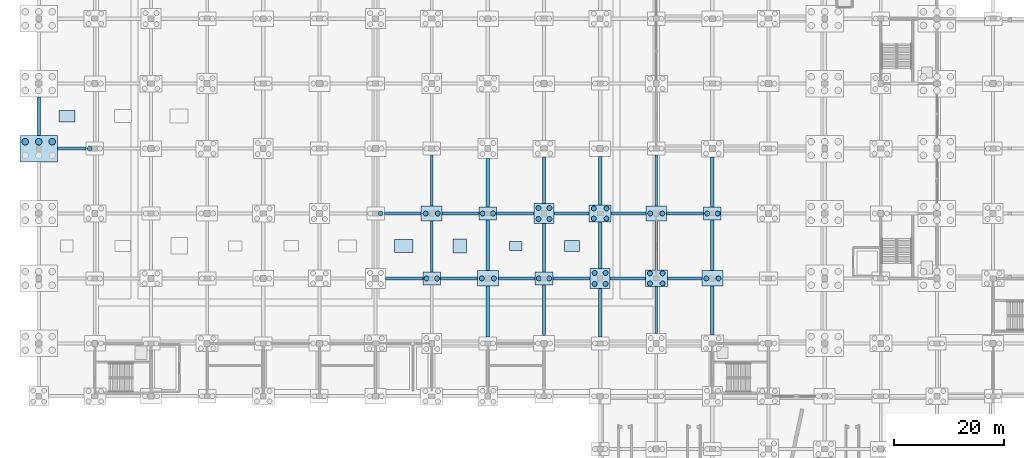
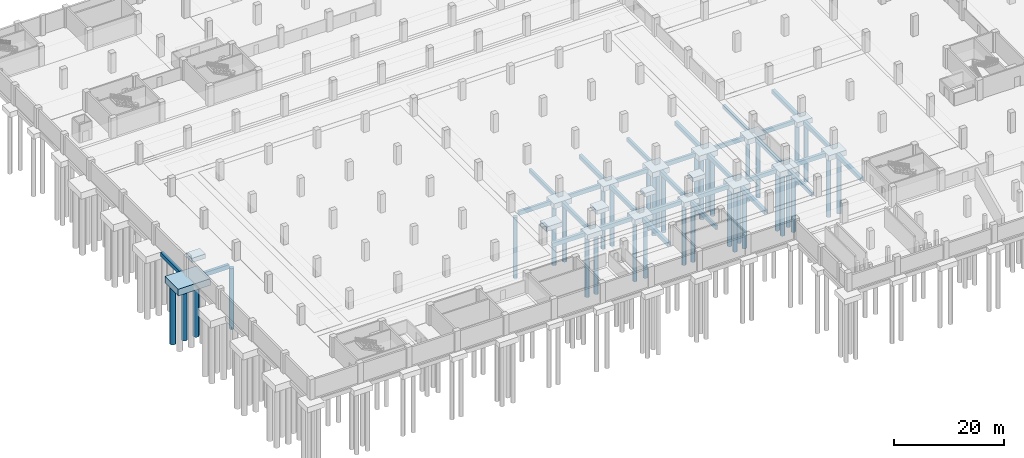
# One storey, part 4 of 52: 49 footings, 37 piles.
"""IFC4 building model written with IfcOpenShell, lengths in metres."""

import ifcopenshell
import ifcopenshell.guid

model = None  # the IFC model being written
_history = None  # IfcOwnerHistory: only IFC2X3 demands one
_inside = {}  # id of a spatial element -> (the spatial element, [elements in it])
_under = {}  # id of a project, library or spatial element -> (it, [spatial elements below it])
_declared = {}  # id of a project -> (the project, [libraries it declares])
_typed = {}  # id of a type object -> (the type object, [elements of that type])
_made_of = {}  # id of a material, layer set ... -> (it, [elements and type objects made of it])


def new_model(schema):
    """Start an empty IFC model of exactly this schema.

    Asked for "IFC4X3", IfcOpenShell would pick the latest addendum, in which some entities
    have other attributes; the version numbers below select the first issue.
    IFC2X3 requires an IfcOwnerHistory on every rooted entity: one is made here for all.
    """
    global model, _history
    if schema == "IFC4X3":
        model = ifcopenshell.file(schema_version=(4, 3, 0, 0))
    else:
        model = ifcopenshell.file(schema=schema)
    _inside.clear()
    _under.clear()
    _declared.clear()
    _typed.clear()
    _made_of.clear()
    _history = None
    if model.schema == "IFC2X3":
        org = make("IfcOrganization", Name="unknown")
        user = make(
            "IfcPersonAndOrganization",
            ThePerson=make("IfcPerson", FamilyName="unknown"),
            TheOrganization=org,
        )
        app = make(
            "IfcApplication",
            ApplicationDeveloper=org,
            Version="unknown",
            ApplicationFullName="unknown",
            ApplicationIdentifier="unknown",
        )
        _history = make(
            "IfcOwnerHistory",
            OwningUser=user,
            OwningApplication=app,
            ChangeAction="ADDED",
            CreationDate=0,
        )
    return model


def make(cls, **values):
    """One entity of the class cls with the attributes given. An attribute that is None is left unset."""
    return model.create_entity(
        cls, **{name: value for name, value in values.items() if value is not None}
    )


def rooted(cls, **values):
    """An entity with a GlobalId (a new one), such as an element, a storey or a relation."""
    return make(cls, GlobalId=ifcopenshell.guid.new(), OwnerHistory=_history, **values)


def si_unit(unit_type, name, prefix=None):
    """IfcSIUnit, for example si_unit("LENGTHUNIT", "METRE", prefix="MILLI")."""
    return make("IfcSIUnit", UnitType=unit_type, Prefix=prefix, Name=name)


def assignment(units):
    """IfcUnitAssignment: the units of a project."""
    return None if units is None else make("IfcUnitAssignment", Units=units)


def point(xyz):
    """IfcCartesianPoint."""
    return None if xyz is None else make("IfcCartesianPoint", Coordinates=xyz)


def direction(xyz):
    """IfcDirection."""
    return None if xyz is None else make("IfcDirection", DirectionRatios=xyz)


def frame(location, z_axis=None, x_axis=None):
    """IfcAxis2Placement3D, a coordinate frame: its origin and axes. An axis left out is left unset."""
    return make(
        "IfcAxis2Placement3D",
        Location=point(location),
        Axis=direction(z_axis),
        RefDirection=direction(x_axis),
    )


def frame_2d(location, x_axis=None):
    """IfcAxis2Placement2D, a coordinate frame in the plane: its origin and x axis."""
    return make(
        "IfcAxis2Placement2D", Location=point(location), RefDirection=direction(x_axis)
    )


def origin():
    """The frame at (0, 0, 0) with its axes left unset."""
    return frame((0.0, 0.0, 0.0))


def origin_2d():
    """The frame at (0, 0) in the plane with its x axis left unset."""
    return frame_2d((0.0, 0.0))


def place(relative_to, where):
    """IfcLocalPlacement: puts the frame where relative to a parent placement (None: the world)."""
    return make(
        "IfcLocalPlacement", PlacementRelTo=relative_to, RelativePlacement=where
    )


def context(
    kind, dimensions, precision=None, world=None, true_north=None, identifier=None
):
    """IfcGeometricRepresentationContext, for example the 3D "Model" context."""
    return make(
        "IfcGeometricRepresentationContext",
        ContextIdentifier=identifier,
        ContextType=kind,
        CoordinateSpaceDimension=dimensions,
        Precision=precision,
        WorldCoordinateSystem=world,
        TrueNorth=true_north,
    )


def subcontext(parent, identifier, kind, view, scale=None):
    """IfcGeometricRepresentationSubContext, for example "Body" below "Model"."""
    return make(
        "IfcGeometricRepresentationSubContext",
        ContextIdentifier=identifier,
        ContextType=kind,
        ParentContext=parent,
        TargetScale=scale,
        TargetView=view,
    )


def project(units=None, contexts=None):
    """IfcProject with its units and contexts."""
    return rooted(
        "IfcProject",
        Name="project",
        RepresentationContexts=contexts,
        UnitsInContext=assignment(units),
    )


def spatial(cls, under=None, at=None, **own):
    """A site, building, storey or space (cls), placed at a placement, below another one or the project."""
    s = rooted(cls, ObjectPlacement=at, **own)
    if under is not None:
        _under.setdefault(under.id(), (under, []))[1].append(s)
    return s


def polyline(points):
    """IfcPolyline through the points."""
    return make("IfcPolyline", Points=[point(p) for p in points])


def profile(cls, at=None, kind="AREA", **sizes):
    """A parametric profile (cls). Its sizes go by their IFC names, for example OverallWidth=200.0."""
    return make(cls, ProfileType=kind, Position=at, **sizes)


def rectangle(**sizes):
    """IfcRectangleProfileDef."""
    return profile("IfcRectangleProfileDef", **sizes)


def circle(**sizes):
    """IfcCircleProfileDef."""
    return profile("IfcCircleProfileDef", **sizes)


def outline(outer, holes=None, kind="AREA"):
    """IfcArbitraryClosedProfileDef: a profile drawn as a closed curve; with holes, ...WithVoids."""
    if holes is None:
        return make("IfcArbitraryClosedProfileDef", ProfileType=kind, OuterCurve=outer)
    return make(
        "IfcArbitraryProfileDefWithVoids",
        ProfileType=kind,
        OuterCurve=outer,
        InnerCurves=holes,
    )


def extrude(swept, where, along, depth):
    """IfcExtrudedAreaSolid: the profile swept, set in the frame where, extruded along a direction by depth."""
    return make(
        "IfcExtrudedAreaSolid",
        SweptArea=swept,
        Position=where,
        ExtrudedDirection=direction(along),
        Depth=depth,
    )


def shape(context_of_items, identifier, shape_type, items):
    """IfcShapeRepresentation: the items that make up one representation, for example the "Body"."""
    return make(
        "IfcShapeRepresentation",
        ContextOfItems=context_of_items,
        RepresentationIdentifier=identifier,
        RepresentationType=shape_type,
        Items=items,
    )


def material(Name=None, Category=None):
    """IfcMaterial."""
    return make("IfcMaterial", Name=Name, Category=Category)


def material_profile(
    of_material, cross_section, Name=None, Category=None, Priority=None
):
    """IfcMaterialProfile: a cross section and its material."""
    return make(
        "IfcMaterialProfile",
        Name=Name,
        Material=of_material,
        Profile=cross_section,
        Priority=Priority,
        Category=Category,
    )


def profile_set(profiles, Name=None, composite=None):
    """IfcMaterialProfileSet."""
    return make(
        "IfcMaterialProfileSet",
        Name=Name,
        MaterialProfiles=profiles,
        CompositeProfile=composite,
    )


def made_of(thing, what):
    """Note that an element or type object is made of a material, layer set ...; save() writes the relation."""
    if what is not None:
        _made_of.setdefault(what.id(), (what, []))[1].append(thing)
    return thing


def type_object(cls, material=None, **own):
    """A type object (cls), such as IfcWallType, which elements share."""
    return made_of(rooted(cls, **own), material)


def element(
    cls,
    number,
    at=None,
    inside=None,
    cuts=None,
    type_object=None,
    material=None,
    context=None,
    identifier="Body",
    shape_type=None,
    held_by="IfcProductDefinitionShape",
    body=None,
    shapes=None,
    **own,
):
    """One element of the class cls, such as IfcWall. Its Tag is "e" and its number.

    at: its placement. inside: the storey or other place that contains it. cuts: it is an
    opening in that element (IfcRelVoidsElement). A single representation is given by context,
    identifier, shape_type and body (its items); several are given by shapes. held_by: the class
    of the entity that holds the representations. save() writes the other relations.
    """
    e = rooted(cls, Tag="e%d" % number, ObjectPlacement=at, **own)
    if body is not None:
        shapes = [shape(context, identifier, shape_type, body)]
    if shapes is not None:
        e.Representation = make(held_by, Representations=shapes)
    if inside is not None:
        _inside.setdefault(inside.id(), (inside, []))[1].append(e)
    if cuts is not None:
        rooted(
            "IfcRelVoidsElement", RelatingBuildingElement=cuts, RelatedOpeningElement=e
        )
    if type_object is not None:
        _typed.setdefault(type_object.id(), (type_object, []))[1].append(e)
    return made_of(e, material)


def aggregate(whole, parts):
    """IfcRelAggregates: a whole, such as a stair, and the parts it consists of."""
    return rooted("IfcRelAggregates", RelatingObject=whole, RelatedObjects=parts)


def save(model, path):
    """Write the relations noted so far, then the file.

    IfcRelAggregates (storeys below a building ...), IfcRelContainedInSpatialStructure (elements
    in a storey), IfcRelDefinesByType, IfcRelAssociatesMaterial and IfcRelDeclares: one each for
    every whole, place, type object, material and project.
    """
    for whole, parts in _under.values():
        aggregate(whole, parts)
    for where, things in _inside.values():
        rooted(
            "IfcRelContainedInSpatialStructure",
            RelatedElements=things,
            RelatingStructure=where,
        )
    for kind, things in _typed.values():
        rooted("IfcRelDefinesByType", RelatedObjects=things, RelatingType=kind)
    for what, things in _made_of.values():
        rooted("IfcRelAssociatesMaterial", RelatedObjects=things, RelatingMaterial=what)
    for by, libraries in _declared.values():
        rooted("IfcRelDeclares", RelatingContext=by, RelatedDefinitions=libraries)
    model.write(path)


model = new_model("IFC4")

# Units and contexts
model_context = context("Model", 3, precision=1e-05, world=origin(), true_north=direction((0.0, 1.0)))
body_context = subcontext(model_context, "Body", "Model", "MODEL_VIEW")
ifc_project = project(units=[si_unit("LENGTHUNIT", "METRE"), si_unit("AREAUNIT", "SQUARE_METRE"), si_unit("VOLUMEUNIT", "CUBIC_METRE"), si_unit("PLANEANGLEUNIT", "RADIAN"), si_unit("MASSUNIT", "GRAM", prefix="KILO")], contexts=[model_context])

# Site, building, storey
site_placement = place(None, origin())
site = spatial("IfcSite", under=ifc_project, at=site_placement, CompositionType="ELEMENT")
building_placement = place(site_placement, origin())
building = spatial("IfcBuilding", under=site, at=building_placement, Name="Brelvane Convention Centre", CompositionType="ELEMENT")
storey_placement = place(building_placement, frame((0.0, 0.0, -4.5)))
storey = spatial("IfcBuildingStorey", under=building, at=storey_placement, Name="B1", CompositionType="ELEMENT", Elevation=-4.5)

# Piles
ifc_material_1 = material(Name="Concrete M40", Category="concrete")
ifc_material_profile_1 = material_profile(ifc_material_1, circle(Radius=0.60009765625, at=origin_2d()), Name="PILE D1200")
ifc_profile_set_1 = profile_set([ifc_material_profile_1], Name="Concrete M40")
pile_type_1 = type_object("IfcPileType", Name="Bored Pile PL-1200", PredefinedType="BORED", material=ifc_profile_set_1)
for number, where, z_axis, x_axis, name in (
    (1, (-2.449951171875, 65.449951171875, -1.85009765625), (0.0, 0.0, -1.0), (1.0, 0.0, 0.0), "Bored Pile PL-1200 1-G-4"),
    (2, (0.0, 65.449951171875, -1.85009765625), (0.0, 0.0, -1.0), (1.0, 0.0, 0.0), "Bored Pile PL-1200 1-G-5"),
    (3, (2.449951171875, 65.449951171875, -1.85009765625), (0.0, 0.0, -1.0), (1.0, 0.0, 0.0), "Bored Pile PL-1200 1-G-6"),
):
    element("IfcPile", number, at=place(storey_placement, frame(where, z_axis=z_axis, x_axis=x_axis)), inside=storey, type_object=pile_type_1, Name=name, PredefinedType="BORED", context=body_context, shape_type="SweptSolid", body=[
        extrude(circle(Radius=0.60009765625, at=origin_2d()), origin(), (0.0, 0.0, 1.0), 13.14990234375),
    ])
ifc_material_2 = material(Name="Concrete M40", Category="concrete")
ifc_material_profile_2 = material_profile(ifc_material_2, circle(Radius=0.449951171875, at=origin_2d()), Name="PILE D900")
ifc_profile_set_2 = profile_set([ifc_material_profile_2], Name="Concrete M40")
pile_type_2 = type_object("IfcPileType", Name="Bored Pile PL-900", PredefinedType="BORED", material=ifc_profile_set_2)
for number, where, z_axis, x_axis, name in (
    (4, (9.25, 64.199951171875, -1.449951171875), (0.0, 0.0, -1.0), (1.0, 0.0, 0.0), "Bored Pile PL-900 2-G-1"),
    (5, (62.14990234375, 52.39990234375, -1.449951171875), (0.0, 0.0, -1.0), (1.0, 0.0, 0.0), "Bored Pile PL-900 7-F-2"),
    (6, (70.449951171875, 40.60009765625, -1.449951171875), (0.0, 0.0, -1.0), (1.0, 0.0, 0.0), "Bored Pile PL-900 8-E-1"),
    (7, (72.35009765625, 40.60009765625, -1.449951171875), (0.0, 0.0, -1.0), (1.0, 0.0, 0.0), "Bored Pile PL-900 8-E-2"),
):
    element("IfcPile", number, at=place(storey_placement, frame(where, z_axis=z_axis, x_axis=x_axis)), inside=storey, type_object=pile_type_2, Name=name, PredefinedType="BORED", context=body_context, shape_type="SweptSolid", body=[
        extrude(circle(Radius=0.449951171875, at=origin_2d()), origin(), (0.0, 0.0, 1.0), 13.550048828125),
    ])
for number, where, z_axis, x_axis, name in (
    (8, (70.300048828125, 52.39990234375, -1.5), (0.0, 0.0, -1.0), (1.0, 0.0, 0.0), "Bored Pile PL-900 8-F-1"),
    (9, (72.5, 52.39990234375, -1.5), (0.0, 0.0, -1.0), (1.0, 0.0, 0.0), "Bored Pile PL-900 8-F-2"),
    (10, (80.5, 40.60009765625, -1.5), (0.0, 0.0, -1.0), (1.0, 0.0, 0.0), "Bored Pile PL-900 9-E-1"),
    (11, (82.699951171875, 40.60009765625, -1.5), (0.0, 0.0, -1.0), (1.0, 0.0, 0.0), "Bored Pile PL-900 9-E-2"),
):
    element("IfcPile", number, at=place(storey_placement, frame(where, z_axis=z_axis, x_axis=x_axis)), inside=storey, type_object=pile_type_2, Name=name, PredefinedType="BORED", context=body_context, shape_type="SweptSolid", body=[
        extrude(circle(Radius=0.449951171875, at=origin_2d()), origin(), (0.0, 0.0, 1.0), 13.5),
    ])
for number, where, z_axis, x_axis, name in (
    (12, (80.64990234375, 52.39990234375, -1.449951171875), (0.0, 0.0, -1.0), (1.0, 0.0, 0.0), "Bored Pile PL-900 9-F-1"),
    (13, (82.550048828125, 52.39990234375, -1.449951171875), (0.0, 0.0, -1.0), (1.0, 0.0, 0.0), "Bored Pile PL-900 9-F-2"),
    (14, (90.85009765625, 40.60009765625, -1.449951171875), (0.0, 0.0, -1.0), (1.0, 0.0, 0.0), "Bored Pile PL-900 10-E-1"),
    (15, (92.75, 40.60009765625, -1.449951171875), (0.0, 0.0, -1.0), (1.0, 0.0, 0.0), "Bored Pile PL-900 10-E-2"),
):
    element("IfcPile", number, at=place(storey_placement, frame(where, z_axis=z_axis, x_axis=x_axis)), inside=storey, type_object=pile_type_2, Name=name, PredefinedType="BORED", context=body_context, shape_type="SweptSolid", body=[
        extrude(circle(Radius=0.449951171875, at=origin_2d()), origin(), (0.0, 0.0, 1.0), 13.550048828125),
    ])
for number, where, z_axis, x_axis, name in (
    (16, (90.800048828125, 51.39990234375, -1.550048828125), (0.0, 0.0, -1.0), (1.0, 0.0, 0.0), "Bored Pile PL-900 10-F-1"),
    (17, (92.800048828125, 51.39990234375, -1.550048828125), (0.0, 0.0, -1.0), (1.0, 0.0, 0.0), "Bored Pile PL-900 10-F-2"),
    (18, (90.800048828125, 53.39990234375, -1.550048828125), (0.0, 0.0, -1.0), (1.0, 0.0, 0.0), "Bored Pile PL-900 10-F-3"),
    (19, (92.800048828125, 53.39990234375, -1.550048828125), (0.0, 0.0, -1.0), (1.0, 0.0, 0.0), "Bored Pile PL-900 10-F-4"),
    (20, (101.0, 39.60009765625, -1.550048828125), (0.0, 0.0, -1.0), (1.0, 0.0, 0.0), "Bored Pile PL-900 11-E-1"),
    (21, (103.0, 39.60009765625, -1.550048828125), (0.0, 0.0, -1.0), (1.0, 0.0, 0.0), "Bored Pile PL-900 11-E-2"),
    (22, (101.0, 41.60009765625, -1.550048828125), (0.0, 0.0, -1.0), (1.0, 0.0, 0.0), "Bored Pile PL-900 11-E-3"),
    (23, (103.0, 41.60009765625, -1.550048828125), (0.0, 0.0, -1.0), (1.0, 0.0, 0.0), "Bored Pile PL-900 11-E-4"),
    (24, (100.85009765625, 51.47998046875, -1.550048828125), (0.0, 0.0, -1.0), (1.0, 0.0, 0.0), "Bored Pile PL-900 11-F-1"),
    (25, (103.14990234375, 51.47998046875, -1.550048828125), (0.0, 0.0, -1.0), (1.0, 0.0, 0.0), "Bored Pile PL-900 11-F-2"),
    (26, (100.85009765625, 53.320068359375, -1.550048828125), (0.0, 0.0, -1.0), (1.0, 0.0, 0.0), "Bored Pile PL-900 11-F-3"),
    (27, (103.14990234375, 53.320068359375, -1.550048828125), (0.0, 0.0, -1.0), (1.0, 0.0, 0.0), "Bored Pile PL-900 11-F-4"),
    (28, (111.050048828125, 39.679931640625, -1.550048828125), (0.0, 0.0, -1.0), (1.0, 0.0, 0.0), "Bored Pile PL-900 12-E-1"),
    (29, (113.35009765625, 39.679931640625, -1.550048828125), (0.0, 0.0, -1.0), (1.0, 0.0, 0.0), "Bored Pile PL-900 12-E-2"),
    (30, (111.050048828125, 41.52001953125, -1.550048828125), (0.0, 0.0, -1.0), (1.0, 0.0, 0.0), "Bored Pile PL-900 12-E-3"),
    (31, (113.35009765625, 41.52001953125, -1.550048828125), (0.0, 0.0, -1.0), (1.0, 0.0, 0.0), "Bored Pile PL-900 12-E-4"),
):
    element("IfcPile", number, at=place(storey_placement, frame(where, z_axis=z_axis, x_axis=x_axis)), inside=storey, type_object=pile_type_2, Name=name, PredefinedType="BORED", context=body_context, shape_type="SweptSolid", body=[
        extrude(circle(Radius=0.449951171875, at=origin_2d()), origin(), (0.0, 0.0, 1.0), 13.449951171875),
    ])
for number, where, z_axis, x_axis, name in (
    (32, (111.10009765625, 52.39990234375, -1.5), (0.0, 0.0, -1.0), (1.0, 0.0, 0.0), "Bored Pile PL-900 12-F-1"),
    (33, (113.300048828125, 52.39990234375, -1.5), (0.0, 0.0, -1.0), (1.0, 0.0, 0.0), "Bored Pile PL-900 12-F-2"),
    (34, (121.300048828125, 40.60009765625, -1.5), (0.0, 0.0, -1.0), (1.0, 0.0, 0.0), "Bored Pile PL-900 13-E-1"),
    (35, (123.5, 40.60009765625, -1.5), (0.0, 0.0, -1.0), (1.0, 0.0, 0.0), "Bored Pile PL-900 13-E-2"),
):
    element("IfcPile", number, at=place(storey_placement, frame(where, z_axis=z_axis, x_axis=x_axis)), inside=storey, type_object=pile_type_2, Name=name, PredefinedType="BORED", context=body_context, shape_type="SweptSolid", body=[
        extrude(circle(Radius=0.449951171875, at=origin_2d()), origin(), (0.0, 0.0, 1.0), 13.5),
    ])
for number, where, z_axis, x_axis, name in (
    (36, (121.449951171875, 52.39990234375, -1.449951171875), (0.0, 0.0, -1.0), (1.0, 0.0, 0.0), "Bored Pile PL-900 13-F-1"),
    (37, (123.35009765625, 52.39990234375, -1.449951171875), (0.0, 0.0, -1.0), (1.0, 0.0, 0.0), "Bored Pile PL-900 13-F-2"),
):
    element("IfcPile", number, at=place(storey_placement, frame(where, z_axis=z_axis, x_axis=x_axis)), inside=storey, type_object=pile_type_2, Name=name, PredefinedType="BORED", context=body_context, shape_type="SweptSolid", body=[
        extrude(circle(Radius=0.449951171875, at=origin_2d()), origin(), (0.0, 0.0, 1.0), 13.550048828125),
    ])

# Footings
ifc_material_3 = material(Name="Concrete M40", Category="concrete")
ifc_material_profile_3 = material_profile(ifc_material_3, rectangle(XDim=0.60009765625, YDim=0.89990234375, at=origin_2d()), Name="RC 600x900")
ifc_profile_set_3 = profile_set([ifc_material_profile_3], Name="Concrete M40")
footing_type_1 = type_object("IfcFootingType", Name="Ground Tie Beam GB-1", PredefinedType="FOOTING_BEAM", material=ifc_profile_set_3)
footing_1_placement = place(storey_placement, frame((3.39990234375, 64.199951171875, -0.89990234375), z_axis=(1.0, 0.0, 0.0), x_axis=(0.0, 1.0, 0.0)))
element("IfcFooting", 38, at=footing_1_placement, inside=storey, type_object=footing_type_1, Name="Ground Tie Beam GB-1 1-2/G", PredefinedType="FOOTING_BEAM", context=body_context, shape_type="SweptSolid", body=[
    extrude(rectangle(XDim=0.60009765625, YDim=0.89990234375, at=origin_2d()), origin(), (0.0, 0.0, 1.0), 5.2001953125),
])
footing_2_placement = place(storey_placement, frame((0.0, 66.60009765625, -0.89990234375), z_axis=(0.0, 1.0, 0.0), x_axis=(-1.0, 0.0, 0.0)))
element("IfcFooting", 39, at=footing_2_placement, inside=storey, type_object=footing_type_1, Name="Ground Tie Beam GB-1 1/G-H", PredefinedType="FOOTING_BEAM", context=body_context, shape_type="SweptSolid", body=[
    extrude(rectangle(XDim=0.60009765625, YDim=0.89990234375, at=origin_2d()), origin(), (0.0, 0.0, 1.0), 7.0),
])
footing_3_placement = place(storey_placement, frame((63.0, 40.60009765625, -0.89990234375), z_axis=(1.0, 0.0, 0.0), x_axis=(0.0, 1.0, 0.0)))
element("IfcFooting", 40, at=footing_3_placement, inside=storey, type_object=footing_type_1, Name="Ground Tie Beam GB-1 7-8/E", PredefinedType="FOOTING_BEAM", context=body_context, shape_type="SweptSolid", body=[
    extrude(rectangle(XDim=0.60009765625, YDim=0.89990234375, at=origin_2d()), origin(), (0.0, 0.0, 1.0), 6.800048828125),
])
footing_4_placement = place(storey_placement, frame((73.0, 40.60009765625, -0.89990234375), z_axis=(1.0, 0.0, 0.0), x_axis=(0.0, 1.0, 0.0)))
element("IfcFooting", 41, at=footing_4_placement, inside=storey, type_object=footing_type_1, Name="Ground Tie Beam GB-1 8-9/E", PredefinedType="FOOTING_BEAM", context=body_context, shape_type="SweptSolid", body=[
    extrude(rectangle(XDim=0.60009765625, YDim=0.89990234375, at=origin_2d()), origin(), (0.0, 0.0, 1.0), 6.699951171875),
])
footing_5_placement = place(storey_placement, frame((81.60009765625, 30.0, -0.89990234375), z_axis=(0.0, 1.0, 0.0), x_axis=(-1.0, 0.0, 0.0)))
element("IfcFooting", 42, at=footing_5_placement, inside=storey, type_object=footing_type_1, Name="Ground Tie Beam GB-1 9/D-E", PredefinedType="FOOTING_BEAM", context=body_context, shape_type="SweptSolid", body=[
    extrude(rectangle(XDim=0.60009765625, YDim=0.89990234375, at=origin_2d()), origin(), (0.0, 0.0, 1.0), 9.199951171875),
])
footing_6_placement = place(storey_placement, frame((83.5, 40.60009765625, -0.89990234375), z_axis=(1.0, 0.0, 0.0), x_axis=(0.0, 1.0, 0.0)))
element("IfcFooting", 43, at=footing_6_placement, inside=storey, type_object=footing_type_1, Name="Ground Tie Beam GB-1 9-10/E", PredefinedType="FOOTING_BEAM", context=body_context, shape_type="SweptSolid", body=[
    extrude(rectangle(XDim=0.60009765625, YDim=0.89990234375, at=origin_2d()), origin(), (0.0, 0.0, 1.0), 6.699951171875),
])
footing_7_placement = place(storey_placement, frame((81.60009765625, 42.0, -0.89990234375), z_axis=(0.0, 1.0, 0.0), x_axis=(-1.0, 0.0, 0.0)))
element("IfcFooting", 44, at=footing_7_placement, inside=storey, type_object=footing_type_1, Name="Ground Tie Beam GB-1 9/E-F", PredefinedType="FOOTING_BEAM", context=body_context, shape_type="SweptSolid", body=[
    extrude(rectangle(XDim=0.60009765625, YDim=0.89990234375, at=origin_2d()), origin(), (0.0, 0.0, 1.0), 9.199951171875),
])
footing_8_placement = place(storey_placement, frame((81.60009765625, 53.60009765625, -0.89990234375), z_axis=(0.0, 1.0, 0.0), x_axis=(-1.0, 0.0, 0.0)))
element("IfcFooting", 45, at=footing_8_placement, inside=storey, type_object=footing_type_1, Name="Ground Tie Beam GB-1 9/F-G", PredefinedType="FOOTING_BEAM", context=body_context, shape_type="SweptSolid", body=[
    extrude(rectangle(XDim=0.60009765625, YDim=0.89990234375, at=origin_2d()), origin(), (0.0, 0.0, 1.0), 8.7998046875),
])
footing_9_placement = place(storey_placement, frame((93.39990234375, 40.60009765625, -0.89990234375), z_axis=(1.0, 0.0, 0.0), x_axis=(0.0, 1.0, 0.0)))
element("IfcFooting", 46, at=footing_9_placement, inside=storey, type_object=footing_type_1, Name="Ground Tie Beam GB-1 10-11/E", PredefinedType="FOOTING_BEAM", context=body_context, shape_type="SweptSolid", body=[
    extrude(rectangle(XDim=0.60009765625, YDim=0.89990234375, at=origin_2d()), origin(), (0.0, 0.0, 1.0), 6.800048828125),
])
footing_10_placement = place(storey_placement, frame((102.0, 30.0, -0.89990234375), z_axis=(0.0, 1.0, 0.0), x_axis=(-1.0, 0.0, 0.0)))
element("IfcFooting", 47, at=footing_10_placement, inside=storey, type_object=footing_type_1, Name="Ground Tie Beam GB-1 11/D-E", PredefinedType="FOOTING_BEAM", context=body_context, shape_type="SweptSolid", body=[
    extrude(rectangle(XDim=0.60009765625, YDim=0.89990234375, at=origin_2d()), origin(), (0.0, 0.0, 1.0), 8.800048828125),
])
footing_11_placement = place(storey_placement, frame((103.800048828125, 40.60009765625, -0.89990234375), z_axis=(1.0, 0.0, 0.0), x_axis=(0.0, 1.0, 0.0)))
element("IfcFooting", 48, at=footing_11_placement, inside=storey, type_object=footing_type_1, Name="Ground Tie Beam GB-1 11-12/E", PredefinedType="FOOTING_BEAM", context=body_context, shape_type="SweptSolid", body=[
    extrude(rectangle(XDim=0.60009765625, YDim=0.89990234375, at=origin_2d()), origin(), (0.0, 0.0, 1.0), 6.39990234375),
])
footing_12_placement = place(storey_placement, frame((102.0, 42.39990234375, -0.89990234375), z_axis=(0.0, 1.0, 0.0), x_axis=(-1.0, 0.0, 0.0)))
element("IfcFooting", 49, at=footing_12_placement, inside=storey, type_object=footing_type_1, Name="Ground Tie Beam GB-1 11/E-F", PredefinedType="FOOTING_BEAM", context=body_context, shape_type="SweptSolid", body=[
    extrude(rectangle(XDim=0.60009765625, YDim=0.89990234375, at=origin_2d()), origin(), (0.0, 0.0, 1.0), 8.5),
])
footing_13_placement = place(storey_placement, frame((102.0, 53.89990234375, -0.89990234375), z_axis=(0.0, 1.0, 0.0), x_axis=(-1.0, 0.0, 0.0)))
element("IfcFooting", 50, at=footing_13_placement, inside=storey, type_object=footing_type_1, Name="Ground Tie Beam GB-1 11/F-G", PredefinedType="FOOTING_BEAM", context=body_context, shape_type="SweptSolid", body=[
    extrude(rectangle(XDim=0.60009765625, YDim=0.89990234375, at=origin_2d()), origin(), (0.0, 0.0, 1.0), 8.900146484375),
])
footing_14_placement = place(storey_placement, frame((114.199951171875, 40.60009765625, -0.89990234375), z_axis=(1.0, 0.0, 0.0), x_axis=(0.0, 1.0, 0.0)))
element("IfcFooting", 51, at=footing_14_placement, inside=storey, type_object=footing_type_1, Name="Ground Tie Beam GB-1 12-13/E", PredefinedType="FOOTING_BEAM", context=body_context, shape_type="SweptSolid", body=[
    extrude(rectangle(XDim=0.60009765625, YDim=0.89990234375, at=origin_2d()), origin(), (0.0, 0.0, 1.0), 6.300048828125),
])
footing_15_placement = place(storey_placement, frame((122.39990234375, 30.300048828125, -0.89990234375), z_axis=(0.0, 1.0, 0.0), x_axis=(-1.0, 0.0, 0.0)))
element("IfcFooting", 52, at=footing_15_placement, inside=storey, type_object=footing_type_1, Name="Ground Tie Beam GB-1 13/D-E", PredefinedType="FOOTING_BEAM", context=body_context, shape_type="SweptSolid", body=[
    extrude(rectangle(XDim=0.60009765625, YDim=0.89990234375, at=origin_2d()), origin(), (0.0, 0.0, 1.0), 8.89990234375),
])
footing_16_placement = place(storey_placement, frame((122.39990234375, 42.0, -0.89990234375), z_axis=(0.0, 1.0, 0.0), x_axis=(-1.0, 0.0, 0.0)))
element("IfcFooting", 53, at=footing_16_placement, inside=storey, type_object=footing_type_1, Name="Ground Tie Beam GB-1 13/E-F", PredefinedType="FOOTING_BEAM", context=body_context, shape_type="SweptSolid", body=[
    extrude(rectangle(XDim=0.60009765625, YDim=0.89990234375, at=origin_2d()), origin(), (0.0, 0.0, 1.0), 9.199951171875),
])
footing_17_placement = place(storey_placement, frame((122.39990234375, 53.60009765625, -0.89990234375), z_axis=(0.0, 1.0, 0.0), x_axis=(-1.0, 0.0, 0.0)))
element("IfcFooting", 54, at=footing_17_placement, inside=storey, type_object=footing_type_1, Name="Ground Tie Beam GB-1 13/F-G", PredefinedType="FOOTING_BEAM", context=body_context, shape_type="SweptSolid", body=[
    extrude(rectangle(XDim=0.60009765625, YDim=0.89990234375, at=origin_2d()), origin(), (0.0, 0.0, 1.0), 9.099853515625),
])
ifc_material_4 = material(Name="Concrete M40", Category="concrete")
ifc_material_profile_4 = material_profile(ifc_material_4, rectangle(XDim=0.5, YDim=0.89990234375, at=origin_2d()), Name="RC 500x900")
ifc_profile_set_4 = profile_set([ifc_material_profile_4], Name="Concrete M40")
footing_type_2 = type_object("IfcFootingType", Name="Ground Tie Beam GB-2", PredefinedType="FOOTING_BEAM", material=ifc_profile_set_4)
footing_18_placement = place(storey_placement, frame((62.800048828125, 52.39990234375, -0.89990234375), z_axis=(1.0, 0.0, 0.0), x_axis=(0.0, 1.0, 0.0)))
element("IfcFooting", 55, at=footing_18_placement, inside=storey, type_object=footing_type_2, Name="Ground Tie Beam GB-2 7-8/F", PredefinedType="FOOTING_BEAM", context=body_context, shape_type="SweptSolid", body=[
    extrude(rectangle(XDim=0.5, YDim=0.89990234375, at=origin_2d()), origin(), (0.0, 0.0, 1.0), 6.699951171875),
])
footing_19_placement = place(storey_placement, frame((71.39990234375, 41.800048828125, -0.89990234375), z_axis=(0.0, 1.0, 0.0), x_axis=(-1.0, 0.0, 0.0)))
element("IfcFooting", 56, at=footing_19_placement, inside=storey, type_object=footing_type_2, Name="Ground Tie Beam GB-2 8/E-F", PredefinedType="FOOTING_BEAM", context=body_context, shape_type="SweptSolid", body=[
    extrude(rectangle(XDim=0.5, YDim=0.89990234375, at=origin_2d()), origin(), (0.0, 0.0, 1.0), 9.199951171875),
])
footing_20_placement = place(storey_placement, frame((73.300048828125, 52.39990234375, -0.89990234375), z_axis=(1.0, 0.0, 0.0), x_axis=(0.0, 1.0, 0.0)))
element("IfcFooting", 57, at=footing_20_placement, inside=storey, type_object=footing_type_2, Name="Ground Tie Beam GB-2 8-9/F", PredefinedType="FOOTING_BEAM", context=body_context, shape_type="SweptSolid", body=[
    extrude(rectangle(XDim=0.5, YDim=0.89990234375, at=origin_2d()), origin(), (0.0, 0.0, 1.0), 6.699951171875),
])
footing_21_placement = place(storey_placement, frame((71.39990234375, 53.800048828125, -0.89990234375), z_axis=(0.0, 1.0, 0.0), x_axis=(-1.0, 0.0, 0.0)))
element("IfcFooting", 58, at=footing_21_placement, inside=storey, type_object=footing_type_2, Name="Ground Tie Beam GB-2 8/F-G", PredefinedType="FOOTING_BEAM", context=body_context, shape_type="SweptSolid", body=[
    extrude(rectangle(XDim=0.5, YDim=0.89990234375, at=origin_2d()), origin(), (0.0, 0.0, 1.0), 9.199951171875),
])
footing_22_placement = place(storey_placement, frame((83.199951171875, 52.39990234375, -0.89990234375), z_axis=(1.0, 0.0, 0.0), x_axis=(0.0, 1.0, 0.0)))
element("IfcFooting", 59, at=footing_22_placement, inside=storey, type_object=footing_type_2, Name="Ground Tie Beam GB-2 9-10/F", PredefinedType="FOOTING_BEAM", context=body_context, shape_type="SweptSolid", body=[
    extrude(rectangle(XDim=0.5, YDim=0.89990234375, at=origin_2d()), origin(), (0.0, 0.0, 1.0), 6.800048828125),
])
footing_23_placement = place(storey_placement, frame((91.800048828125, 30.199951171875, -0.89990234375), z_axis=(0.0, 1.0, 0.0), x_axis=(-1.0, 0.0, 0.0)))
element("IfcFooting", 60, at=footing_23_placement, inside=storey, type_object=footing_type_2, Name="Ground Tie Beam GB-2 10/D-E", PredefinedType="FOOTING_BEAM", context=body_context, shape_type="SweptSolid", body=[
    extrude(rectangle(XDim=0.5, YDim=0.89990234375, at=origin_2d()), origin(), (0.0, 0.0, 1.0), 9.199951171875),
])
footing_24_placement = place(storey_placement, frame((91.800048828125, 41.800048828125, -0.89990234375), z_axis=(0.0, 1.0, 0.0), x_axis=(-1.0, 0.0, 0.0)))
element("IfcFooting", 61, at=footing_24_placement, inside=storey, type_object=footing_type_2, Name="Ground Tie Beam GB-2 10/E-F", PredefinedType="FOOTING_BEAM", context=body_context, shape_type="SweptSolid", body=[
    extrude(rectangle(XDim=0.5, YDim=0.89990234375, at=origin_2d()), origin(), (0.0, 0.0, 1.0), 8.800048828125),
])
footing_25_placement = place(storey_placement, frame((93.60009765625, 52.39990234375, -0.89990234375), z_axis=(1.0, 0.0, 0.0), x_axis=(0.0, 1.0, 0.0)))
element("IfcFooting", 62, at=footing_25_placement, inside=storey, type_object=footing_type_2, Name="Ground Tie Beam GB-2 10-11/F", PredefinedType="FOOTING_BEAM", context=body_context, shape_type="SweptSolid", body=[
    extrude(rectangle(XDim=0.5, YDim=0.89990234375, at=origin_2d()), origin(), (0.0, 0.0, 1.0), 6.39990234375),
])
footing_26_placement = place(storey_placement, frame((91.800048828125, 54.199951171875, -0.89990234375), z_axis=(0.0, 1.0, 0.0), x_axis=(-1.0, 0.0, 0.0)))
element("IfcFooting", 63, at=footing_26_placement, inside=storey, type_object=footing_type_2, Name="Ground Tie Beam GB-2 10/F-G", PredefinedType="FOOTING_BEAM", context=body_context, shape_type="SweptSolid", body=[
    extrude(rectangle(XDim=0.5, YDim=0.89990234375, at=origin_2d()), origin(), (0.0, 0.0, 1.0), 8.5),
])
footing_27_placement = place(storey_placement, frame((104.0, 52.39990234375, -0.89990234375), z_axis=(1.0, 0.0, 0.0), x_axis=(0.0, 1.0, 0.0)))
element("IfcFooting", 64, at=footing_27_placement, inside=storey, type_object=footing_type_2, Name="Ground Tie Beam GB-2 11-12/F", PredefinedType="FOOTING_BEAM", context=body_context, shape_type="SweptSolid", body=[
    extrude(rectangle(XDim=0.5, YDim=0.89990234375, at=origin_2d()), origin(), (0.0, 0.0, 1.0), 6.300048828125),
])
footing_28_placement = place(storey_placement, frame((112.199951171875, 30.60009765625, -0.89990234375), z_axis=(0.0, 1.0, 0.0), x_axis=(-1.0, 0.0, 0.0)))
element("IfcFooting", 65, at=footing_28_placement, inside=storey, type_object=footing_type_2, Name="Ground Tie Beam GB-2 12/D-E", PredefinedType="FOOTING_BEAM", context=body_context, shape_type="SweptSolid", body=[
    extrude(rectangle(XDim=0.5, YDim=0.89990234375, at=origin_2d()), origin(), (0.0, 0.0, 1.0), 8.5),
])
footing_29_placement = place(storey_placement, frame((112.199951171875, 42.10009765625, -0.89990234375), z_axis=(0.0, 1.0, 0.0), x_axis=(-1.0, 0.0, 0.0)))
element("IfcFooting", 66, at=footing_29_placement, inside=storey, type_object=footing_type_2, Name="Ground Tie Beam GB-2 12/E-F", PredefinedType="FOOTING_BEAM", context=body_context, shape_type="SweptSolid", body=[
    extrude(rectangle(XDim=0.5, YDim=0.89990234375, at=origin_2d()), origin(), (0.0, 0.0, 1.0), 8.89990234375),
])
footing_30_placement = place(storey_placement, frame((114.10009765625, 52.39990234375, -0.89990234375), z_axis=(1.0, 0.0, 0.0), x_axis=(0.0, 1.0, 0.0)))
element("IfcFooting", 67, at=footing_30_placement, inside=storey, type_object=footing_type_2, Name="Ground Tie Beam GB-2 12-13/F", PredefinedType="FOOTING_BEAM", context=body_context, shape_type="SweptSolid", body=[
    extrude(rectangle(XDim=0.5, YDim=0.89990234375, at=origin_2d()), origin(), (0.0, 0.0, 1.0), 6.699951171875),
])
footing_31_placement = place(storey_placement, frame((112.199951171875, 53.800048828125, -0.89990234375), z_axis=(0.0, 1.0, 0.0), x_axis=(-1.0, 0.0, 0.0)))
element("IfcFooting", 68, at=footing_31_placement, inside=storey, type_object=footing_type_2, Name="Ground Tie Beam GB-2 12/F-G", PredefinedType="FOOTING_BEAM", context=body_context, shape_type="SweptSolid", body=[
    extrude(rectangle(XDim=0.5, YDim=0.89990234375, at=origin_2d()), origin(), (0.0, 0.0, 1.0), 9.199951171875),
])
ifc_material_5 = material(Name="Concrete M40", Category="concrete")
footing_type_3 = type_object("IfcFootingType", Name="Pad Footing PF-10", PredefinedType="PAD_FOOTING", material=ifc_material_5)
footing_32_placement = place(storey_placement, frame((0.0, 0.0, -1.389892578125)))
element("IfcFooting", 69, at=footing_32_placement, inside=storey, type_object=footing_type_3, Name="Sub-Slab Equipment Pad Footing PF-10", PredefinedType="PAD_FOOTING", context=body_context, shape_type="SweptSolid", body=[
    extrude(outline(polyline([(95.550048828125, 45.5), (98.25, 45.5), (98.25, 47.5), (95.550048828125, 47.5), (95.550048828125, 45.5)])), origin(), (0.0, 0.0, 1.0), 0.93994140625),
])
ifc_material_6 = material(Name="Concrete M40", Category="concrete")
footing_type_4 = type_object("IfcFootingType", Name="Pad Footing PF-11", PredefinedType="PAD_FOOTING", material=ifc_material_6)
footing_33_placement = place(storey_placement, frame((0.0, 0.0, -1.409912109375)))
element("IfcFooting", 70, at=footing_33_placement, inside=storey, type_object=footing_type_4, Name="Sub-Slab Equipment Pad Footing PF-11", PredefinedType="PAD_FOOTING", context=body_context, shape_type="SweptSolid", body=[
    extrude(outline(polyline([(3.64990234375, 69.050048828125), (6.550048828125, 69.050048828125), (6.550048828125, 71.14990234375), (3.64990234375, 71.14990234375), (3.64990234375, 69.050048828125)])), origin(), (0.0, 0.0, 1.0), 0.9599609375),
])
ifc_material_7 = material(Name="Concrete M40", Category="concrete")
footing_type_5 = type_object("IfcFootingType", Name="Pad Footing PF-7", PredefinedType="PAD_FOOTING", material=ifc_material_7)
footing_34_placement = place(storey_placement, frame((0.0, 0.0, -1.469970703125)))
element("IfcFooting", 71, at=footing_34_placement, inside=storey, type_object=footing_type_5, Name="Sub-Slab Equipment Pad Footing PF-7", PredefinedType="PAD_FOOTING", context=body_context, shape_type="SweptSolid", body=[
    extrude(outline(polyline([(64.60009765625, 45.300048828125), (68.0, 45.300048828125), (68.0, 47.699951171875), (64.60009765625, 47.699951171875), (64.60009765625, 45.300048828125)])), origin(), (0.0, 0.0, 1.0), 1.02001953125),
])
ifc_material_8 = material(Name="Concrete M40", Category="concrete")
footing_type_6 = type_object("IfcFootingType", Name="Pad Footing PF-8", PredefinedType="PAD_FOOTING", material=ifc_material_8)
footing_35_placement = place(storey_placement, frame((0.0, 0.0, -1.35009765625)))
element("IfcFooting", 72, at=footing_35_placement, inside=storey, type_object=footing_type_6, Name="Sub-Slab Equipment Pad Footing PF-8", PredefinedType="PAD_FOOTING", context=body_context, shape_type="SweptSolid", body=[
    extrude(outline(polyline([(75.25, 45.25), (77.75, 45.25), (77.75, 47.75), (75.25, 47.75), (75.25, 45.25)])), origin(), (0.0, 0.0, 1.0), 0.900146484375),
])
ifc_material_9 = material(Name="Concrete M40", Category="concrete")
footing_type_7 = type_object("IfcFootingType", Name="Pad Footing PF-9", PredefinedType="PAD_FOOTING", material=ifc_material_9)
footing_36_placement = place(storey_placement, frame((0.0, 0.0, -1.31005859375)))
element("IfcFooting", 73, at=footing_36_placement, inside=storey, type_object=footing_type_7, Name="Sub-Slab Equipment Pad Footing PF-9", PredefinedType="PAD_FOOTING", context=body_context, shape_type="SweptSolid", body=[
    extrude(outline(polyline([(85.550048828125, 45.64990234375), (87.85009765625, 45.64990234375), (87.85009765625, 47.35009765625), (85.550048828125, 47.35009765625), (85.550048828125, 45.64990234375)])), origin(), (0.0, 0.0, 1.0), 0.860107421875),
])
ifc_material_10 = material(Name="Concrete M40", Category="concrete")
footing_type_8 = type_object("IfcFootingType", Name="Pile Cap PC-2", PredefinedType="PILE_CAP", material=ifc_material_10)
footing_37_placement = place(storey_placement, frame((0.0, 0.0, -1.550048828125)))
element("IfcFooting", 74, at=footing_37_placement, inside=storey, type_object=footing_type_8, Name="Pile Cap PC-2 at 8-E", PredefinedType="PILE_CAP", context=body_context, shape_type="SweptSolid", body=[
    extrude(outline(polyline([(69.800048828125, 39.39990234375), (73.0, 39.39990234375), (73.0, 41.800048828125), (69.800048828125, 41.800048828125), (69.800048828125, 39.39990234375)])), origin(), (0.0, 0.0, 1.0), 1.10009765625),
])
footing_38_placement = place(storey_placement, frame((0.0, 0.0, -1.550048828125)))
element("IfcFooting", 75, at=footing_38_placement, inside=storey, type_object=footing_type_8, Name="Pile Cap PC-2 at 9-F", PredefinedType="PILE_CAP", context=body_context, shape_type="SweptSolid", body=[
    extrude(outline(polyline([(80.0, 51.199951171875), (83.199951171875, 51.199951171875), (83.199951171875, 53.60009765625), (80.0, 53.60009765625), (80.0, 51.199951171875)])), origin(), (0.0, 0.0, 1.0), 1.10009765625),
])
footing_39_placement = place(storey_placement, frame((0.0, 0.0, -1.550048828125)))
element("IfcFooting", 76, at=footing_39_placement, inside=storey, type_object=footing_type_8, Name="Pile Cap PC-2 at 10-E", PredefinedType="PILE_CAP", context=body_context, shape_type="SweptSolid", body=[
    extrude(outline(polyline([(90.199951171875, 39.39990234375), (93.39990234375, 39.39990234375), (93.39990234375, 41.800048828125), (90.199951171875, 41.800048828125), (90.199951171875, 39.39990234375)])), origin(), (0.0, 0.0, 1.0), 1.10009765625),
])
footing_40_placement = place(storey_placement, frame((0.0, 0.0, -1.550048828125)))
element("IfcFooting", 77, at=footing_40_placement, inside=storey, type_object=footing_type_8, Name="Pile Cap PC-2 at 13-F", PredefinedType="PILE_CAP", context=body_context, shape_type="SweptSolid", body=[
    extrude(outline(polyline([(120.800048828125, 51.199951171875), (124.0, 51.199951171875), (124.0, 53.60009765625), (120.800048828125, 53.60009765625), (120.800048828125, 51.199951171875)])), origin(), (0.0, 0.0, 1.0), 1.10009765625),
])
ifc_material_11 = material(Name="Concrete M40", Category="concrete")
footing_type_9 = type_object("IfcFootingType", Name="Pile Cap PC-3", PredefinedType="PILE_CAP", material=ifc_material_11)
footing_41_placement = place(storey_placement, frame((0.0, 0.0, -1.64990234375)))
element("IfcFooting", 78, at=footing_41_placement, inside=storey, type_object=footing_type_9, Name="Pile Cap PC-3 at 10-F", PredefinedType="PILE_CAP", context=body_context, shape_type="SweptSolid", body=[
    extrude(outline(polyline([(90.0, 50.60009765625), (93.60009765625, 50.60009765625), (93.60009765625, 54.199951171875), (90.0, 54.199951171875), (90.0, 50.60009765625)])), origin(), (0.0, 0.0, 1.0), 1.199951171875),
])
footing_42_placement = place(storey_placement, frame((0.0, 0.0, -1.64990234375)))
element("IfcFooting", 79, at=footing_42_placement, inside=storey, type_object=footing_type_9, Name="Pile Cap PC-3 at 11-E", PredefinedType="PILE_CAP", context=body_context, shape_type="SweptSolid", body=[
    extrude(outline(polyline([(100.199951171875, 38.800048828125), (103.800048828125, 38.800048828125), (103.800048828125, 42.39990234375), (100.199951171875, 42.39990234375), (100.199951171875, 38.800048828125)])), origin(), (0.0, 0.0, 1.0), 1.199951171875),
])
ifc_material_12 = material(Name="Concrete M40", Category="concrete")
footing_type_10 = type_object("IfcFootingType", Name="Pile Cap PC-4", PredefinedType="PILE_CAP", material=ifc_material_12)
footing_43_placement = place(storey_placement, frame((0.0, 0.0, -1.64990234375)))
element("IfcFooting", 80, at=footing_43_placement, inside=storey, type_object=footing_type_10, Name="Pile Cap PC-4 at 11-F", PredefinedType="PILE_CAP", context=body_context, shape_type="SweptSolid", body=[
    extrude(outline(polyline([(100.0, 50.89990234375), (104.0, 50.89990234375), (104.0, 53.89990234375), (100.0, 53.89990234375), (100.0, 50.89990234375)])), origin(), (0.0, 0.0, 1.0), 1.199951171875),
])
footing_44_placement = place(storey_placement, frame((0.0, 0.0, -1.64990234375)))
element("IfcFooting", 81, at=footing_44_placement, inside=storey, type_object=footing_type_10, Name="Pile Cap PC-4 at 12-E", PredefinedType="PILE_CAP", context=body_context, shape_type="SweptSolid", body=[
    extrude(outline(polyline([(110.199951171875, 39.10009765625), (114.199951171875, 39.10009765625), (114.199951171875, 42.10009765625), (110.199951171875, 42.10009765625), (110.199951171875, 39.10009765625)])), origin(), (0.0, 0.0, 1.0), 1.199951171875),
])
ifc_material_13 = material(Name="Concrete M40", Category="concrete")
footing_type_11 = type_object("IfcFootingType", Name="Pile Cap PC-8", PredefinedType="PILE_CAP", material=ifc_material_13)
footing_45_placement = place(storey_placement, frame((0.0, 0.0, -1.949951171875)))
element("IfcFooting", 82, at=footing_45_placement, inside=storey, type_object=footing_type_11, Name="Pile Cap PC-8 at 1-G", PredefinedType="PILE_CAP", context=body_context, shape_type="SweptSolid", body=[
    extrude(outline(polyline([(-3.39990234375, 61.800048828125), (3.39990234375, 61.800048828125), (3.39990234375, 66.60009765625), (-3.39990234375, 66.60009765625), (-3.39990234375, 61.800048828125)])), origin(), (0.0, 0.0, 1.0), 1.5),
])
ifc_material_14 = material(Name="Concrete M40", Category="concrete")
footing_type_12 = type_object("IfcFootingType", Name="Pile Cap PC-9", PredefinedType="PILE_CAP", material=ifc_material_14)
footing_46_placement = place(storey_placement, frame((0.0, 0.0, -1.60009765625)))
element("IfcFooting", 83, at=footing_46_placement, inside=storey, type_object=footing_type_12, Name="Pile Cap PC-9 at 8-F", PredefinedType="PILE_CAP", context=body_context, shape_type="SweptSolid", body=[
    extrude(outline(polyline([(69.5, 51.0), (73.300048828125, 51.0), (73.300048828125, 53.800048828125), (69.5, 53.800048828125), (69.5, 51.0)])), origin(), (0.0, 0.0, 1.0), 1.150146484375),
])
footing_47_placement = place(storey_placement, frame((0.0, 0.0, -1.60009765625)))
element("IfcFooting", 84, at=footing_47_placement, inside=storey, type_object=footing_type_12, Name="Pile Cap PC-9 at 9-E", PredefinedType="PILE_CAP", context=body_context, shape_type="SweptSolid", body=[
    extrude(outline(polyline([(79.699951171875, 39.199951171875), (83.5, 39.199951171875), (83.5, 42.0), (79.699951171875, 42.0), (79.699951171875, 39.199951171875)])), origin(), (0.0, 0.0, 1.0), 1.150146484375),
])
footing_48_placement = place(storey_placement, frame((0.0, 0.0, -1.60009765625)))
element("IfcFooting", 85, at=footing_48_placement, inside=storey, type_object=footing_type_12, Name="Pile Cap PC-9 at 12-F", PredefinedType="PILE_CAP", context=body_context, shape_type="SweptSolid", body=[
    extrude(outline(polyline([(110.300048828125, 51.0), (114.10009765625, 51.0), (114.10009765625, 53.800048828125), (110.300048828125, 53.800048828125), (110.300048828125, 51.0)])), origin(), (0.0, 0.0, 1.0), 1.150146484375),
])
footing_49_placement = place(storey_placement, frame((0.0, 0.0, -1.60009765625)))
element("IfcFooting", 86, at=footing_49_placement, inside=storey, type_object=footing_type_12, Name="Pile Cap PC-9 at 13-E", PredefinedType="PILE_CAP", context=body_context, shape_type="SweptSolid", body=[
    extrude(outline(polyline([(120.5, 39.199951171875), (124.300048828125, 39.199951171875), (124.300048828125, 42.0), (120.5, 42.0), (120.5, 39.199951171875)])), origin(), (0.0, 0.0, 1.0), 1.150146484375),
])

save(model, "model.ifc")
